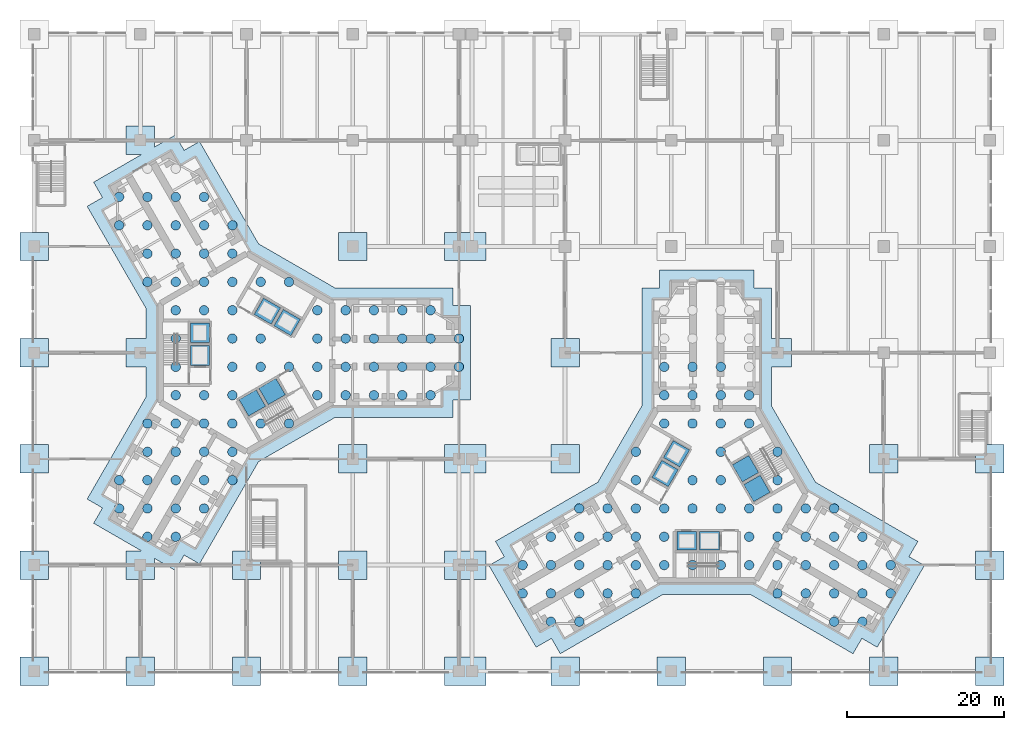
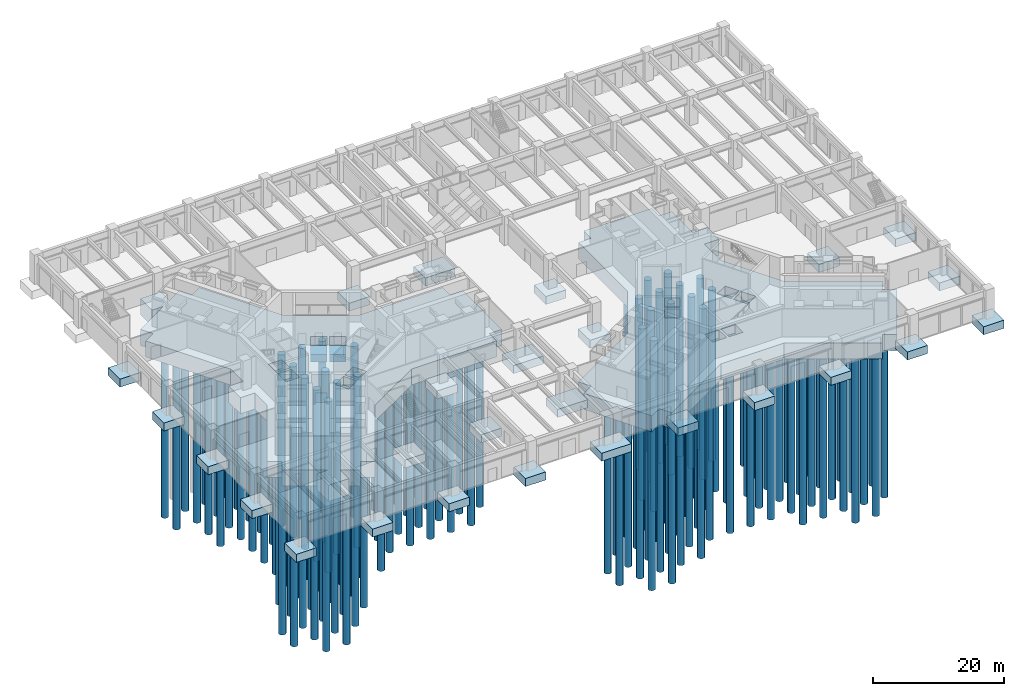
# One storey, part 1 of 18: 141 piles, 40 footings.
"""IFC4 building model written with IfcOpenShell, lengths in metres."""

from ifc_helpers import new_model, si_unit, direction, frame, origin, origin_2d, place, context, subcontext, project, spatial, polyline, rectangle, circle, outline, extrude, material, layer, layer_set, type_object, element, save


model = new_model("IFC4")

# Units and contexts
model_context = context("Model", 3, precision=1e-05, world=origin(), true_north=direction((0.0, 1.0)))
body_context = subcontext(model_context, "Body", "Model", "MODEL_VIEW")
ifc_project = project(units=[si_unit("LENGTHUNIT", "METRE"), si_unit("AREAUNIT", "SQUARE_METRE"), si_unit("VOLUMEUNIT", "CUBIC_METRE"), si_unit("PLANEANGLEUNIT", "RADIAN"), si_unit("MASSUNIT", "GRAM", prefix="KILO")], contexts=[model_context])

# Site, building, storey
site_placement = place(None, origin())
site = spatial("IfcSite", under=ifc_project, at=site_placement, CompositionType="ELEMENT")
building_placement = place(site_placement, origin())
building = spatial("IfcBuilding", under=site, at=building_placement, Name="Upepo Twin Towers", CompositionType="ELEMENT")
storey_placement = place(building_placement, origin())
storey = spatial("IfcBuildingStorey", under=building, at=storey_placement, Name="L00", CompositionType="ELEMENT", Elevation=0.0)

# Piles
ifc_material_1 = material(Name="Concrete C40/50", Category="concrete")
pile_type = type_object("IfcPileType", Name="Bored pile 1200 dia", PredefinedType="BORED", material=ifc_material_1)
for number, where, z_axis, x_axis, name in (
    (1, (-16.199951171875, -19.800048828125, -3.199951171875), (0.0, 0.0, -1.0), (1.0, 0.0, 0.0), "T1 bored pile 1"),
    (2, (-16.199951171875, -16.199951171875, -3.199951171875), (0.0, 0.0, -1.0), (1.0, 0.0, 0.0), "T1 bored pile 2"),
    (3, (-16.199951171875, 16.199951171875, -3.199951171875), (0.0, 0.0, -1.0), (1.0, 0.0, 0.0), "T1 bored pile 3"),
    (4, (-16.199951171875, 19.800048828125, -3.199951171875), (0.0, 0.0, -1.0), (1.0, 0.0, 0.0), "T1 bored pile 4"),
    (5, (-12.60009765625, -23.39990234375, -3.199951171875), (0.0, 0.0, -1.0), (1.0, 0.0, 0.0), "T1 bored pile 5"),
    (6, (-12.60009765625, -19.800048828125, -3.199951171875), (0.0, 0.0, -1.0), (1.0, 0.0, 0.0), "T1 bored pile 6"),
    (7, (-12.60009765625, -16.199951171875, -3.199951171875), (0.0, 0.0, -1.0), (1.0, 0.0, 0.0), "T1 bored pile 7"),
    (8, (-12.60009765625, -12.60009765625, -3.199951171875), (0.0, 0.0, -1.0), (1.0, 0.0, 0.0), "T1 bored pile 8"),
    (9, (-12.60009765625, -9.0, -3.199951171875), (0.0, 0.0, -1.0), (1.0, 0.0, 0.0), "T1 bored pile 9"),
    (10, (-12.60009765625, 9.0, -3.199951171875), (0.0, 0.0, -1.0), (1.0, 0.0, 0.0), "T1 bored pile 10"),
    (11, (-12.60009765625, 12.60009765625, -3.199951171875), (0.0, 0.0, -1.0), (1.0, 0.0, 0.0), "T1 bored pile 11"),
    (12, (-12.60009765625, 16.199951171875, -3.199951171875), (0.0, 0.0, -1.0), (1.0, 0.0, 0.0), "T1 bored pile 12"),
    (13, (-12.60009765625, 19.800048828125, -3.199951171875), (0.0, 0.0, -1.0), (1.0, 0.0, 0.0), "T1 bored pile 13"),
    (14, (-9.0, -23.39990234375, -3.199951171875), (0.0, 0.0, -1.0), (1.0, 0.0, 0.0), "T1 bored pile 15"),
    (15, (-9.0, -19.800048828125, -3.199951171875), (0.0, 0.0, -1.0), (1.0, 0.0, 0.0), "T1 bored pile 16"),
    (16, (-9.0, -16.199951171875, -3.199951171875), (0.0, 0.0, -1.0), (1.0, 0.0, 0.0), "T1 bored pile 17"),
    (17, (-9.0, -12.60009765625, -3.199951171875), (0.0, 0.0, -1.0), (1.0, 0.0, 0.0), "T1 bored pile 18"),
    (18, (-9.0, -9.0, -3.199951171875), (0.0, 0.0, -1.0), (1.0, 0.0, 0.0), "T1 bored pile 19"),
    (19, (-9.0, -5.39990234375, -3.199951171875), (0.0, 0.0, -1.0), (1.0, 0.0, 0.0), "T1 bored pile 20"),
    (20, (-9.0, -1.800048828125, -3.199951171875), (0.0, 0.0, -1.0), (1.0, 0.0, 0.0), "T1 bored pile 21"),
    (21, (-9.0, 1.800048828125, -3.199951171875), (0.0, 0.0, -1.0), (1.0, 0.0, 0.0), "T1 bored pile 22"),
    (22, (-9.0, 5.39990234375, -3.199951171875), (0.0, 0.0, -1.0), (1.0, 0.0, 0.0), "T1 bored pile 23"),
    (23, (-9.0, 9.0, -3.199951171875), (0.0, 0.0, -1.0), (1.0, 0.0, 0.0), "T1 bored pile 24"),
    (24, (-9.0, 12.60009765625, -3.199951171875), (0.0, 0.0, -1.0), (1.0, 0.0, 0.0), "T1 bored pile 25"),
    (25, (-9.0, 16.199951171875, -3.199951171875), (0.0, 0.0, -1.0), (1.0, 0.0, 0.0), "T1 bored pile 26"),
    (26, (-9.0, 19.800048828125, -3.199951171875), (0.0, 0.0, -1.0), (1.0, 0.0, 0.0), "T1 bored pile 27"),
    (27, (-5.39990234375, -19.800048828125, -3.199951171875), (0.0, 0.0, -1.0), (1.0, 0.0, 0.0), "T1 bored pile 29"),
    (28, (-5.39990234375, -16.199951171875, -3.199951171875), (0.0, 0.0, -1.0), (1.0, 0.0, 0.0), "T1 bored pile 30"),
    (29, (-5.39990234375, -12.60009765625, -3.199951171875), (0.0, 0.0, -1.0), (1.0, 0.0, 0.0), "T1 bored pile 31"),
    (30, (-5.39990234375, -9.0, -3.199951171875), (0.0, 0.0, -1.0), (1.0, 0.0, 0.0), "T1 bored pile 32"),
    (31, (-5.39990234375, -5.39990234375, -3.199951171875), (0.0, 0.0, -1.0), (1.0, 0.0, 0.0), "T1 bored pile 33"),
    (32, (-5.39990234375, 5.39990234375, -3.199951171875), (0.0, 0.0, -1.0), (1.0, 0.0, 0.0), "T1 bored pile 34"),
    (33, (-5.39990234375, 9.0, -3.199951171875), (0.0, 0.0, -1.0), (1.0, 0.0, 0.0), "T1 bored pile 35"),
    (34, (-5.39990234375, 12.60009765625, -3.199951171875), (0.0, 0.0, -1.0), (1.0, 0.0, 0.0), "T1 bored pile 36"),
    (35, (-5.39990234375, 16.199951171875, -3.199951171875), (0.0, 0.0, -1.0), (1.0, 0.0, 0.0), "T1 bored pile 37"),
    (36, (-5.39990234375, 19.800048828125, -3.199951171875), (0.0, 0.0, -1.0), (1.0, 0.0, 0.0), "T1 bored pile 38"),
    (37, (-1.800048828125, -16.199951171875, -3.199951171875), (0.0, 0.0, -1.0), (1.0, 0.0, 0.0), "T1 bored pile 39"),
    (38, (-1.800048828125, -12.60009765625, -3.199951171875), (0.0, 0.0, -1.0), (1.0, 0.0, 0.0), "T1 bored pile 40"),
    (39, (-1.800048828125, -9.0, -3.199951171875), (0.0, 0.0, -1.0), (1.0, 0.0, 0.0), "T1 bored pile 41"),
    (40, (-1.800048828125, -5.39990234375, -3.199951171875), (0.0, 0.0, -1.0), (1.0, 0.0, 0.0), "T1 bored pile 42"),
    (41, (-1.800048828125, -1.800048828125, -3.199951171875), (0.0, 0.0, -1.0), (1.0, 0.0, 0.0), "T1 bored pile 43"),
    (42, (-1.800048828125, 1.800048828125, -3.199951171875), (0.0, 0.0, -1.0), (1.0, 0.0, 0.0), "T1 bored pile 44"),
    (43, (-1.800048828125, 5.39990234375, -3.199951171875), (0.0, 0.0, -1.0), (1.0, 0.0, 0.0), "T1 bored pile 45"),
    (44, (-1.800048828125, 9.0, -3.199951171875), (0.0, 0.0, -1.0), (1.0, 0.0, 0.0), "T1 bored pile 46"),
    (45, (-1.800048828125, 12.60009765625, -3.199951171875), (0.0, 0.0, -1.0), (1.0, 0.0, 0.0), "T1 bored pile 47"),
    (46, (-1.800048828125, 16.199951171875, -3.199951171875), (0.0, 0.0, -1.0), (1.0, 0.0, 0.0), "T1 bored pile 48"),
    (47, (1.800048828125, -9.0, -3.199951171875), (0.0, 0.0, -1.0), (1.0, 0.0, 0.0), "T1 bored pile 49"),
    (48, (1.800048828125, -1.800048828125, -3.199951171875), (0.0, 0.0, -1.0), (1.0, 0.0, 0.0), "T1 bored pile 50"),
    (49, (1.800048828125, 1.800048828125, -3.199951171875), (0.0, 0.0, -1.0), (1.0, 0.0, 0.0), "T1 bored pile 51"),
    (50, (1.800048828125, 9.0, -3.199951171875), (0.0, 0.0, -1.0), (1.0, 0.0, 0.0), "T1 bored pile 52"),
    (51, (5.39990234375, -9.0, -3.199951171875), (0.0, 0.0, -1.0), (1.0, 0.0, 0.0), "T1 bored pile 53"),
    (52, (5.39990234375, -1.800048828125, -3.199951171875), (0.0, 0.0, -1.0), (1.0, 0.0, 0.0), "T1 bored pile 54"),
    (53, (5.39990234375, 9.0, -3.199951171875), (0.0, 0.0, -1.0), (1.0, 0.0, 0.0), "T1 bored pile 55"),
    (54, (9.0, -5.39990234375, -3.199951171875), (0.0, 0.0, -1.0), (1.0, 0.0, 0.0), "T1 bored pile 56"),
    (55, (9.0, -1.800048828125, -3.199951171875), (0.0, 0.0, -1.0), (1.0, 0.0, 0.0), "T1 bored pile 57"),
    (56, (9.0, 1.800048828125, -3.199951171875), (0.0, 0.0, -1.0), (1.0, 0.0, 0.0), "T1 bored pile 58"),
    (57, (9.0, 5.39990234375, -3.199951171875), (0.0, 0.0, -1.0), (1.0, 0.0, 0.0), "T1 bored pile 59"),
    (58, (12.60009765625, -5.39990234375, -3.199951171875), (0.0, 0.0, -1.0), (1.0, 0.0, 0.0), "T1 bored pile 60"),
    (59, (12.60009765625, -1.800048828125, -3.199951171875), (0.0, 0.0, -1.0), (1.0, 0.0, 0.0), "T1 bored pile 61"),
    (60, (12.60009765625, 1.800048828125, -3.199951171875), (0.0, 0.0, -1.0), (1.0, 0.0, 0.0), "T1 bored pile 62"),
    (61, (12.60009765625, 5.39990234375, -3.199951171875), (0.0, 0.0, -1.0), (1.0, 0.0, 0.0), "T1 bored pile 63"),
    (62, (16.199951171875, -5.39990234375, -3.199951171875), (0.0, 0.0, -1.0), (1.0, 0.0, 0.0), "T1 bored pile 64"),
    (63, (16.199951171875, -1.800048828125, -3.199951171875), (0.0, 0.0, -1.0), (1.0, 0.0, 0.0), "T1 bored pile 65"),
    (64, (16.199951171875, 1.800048828125, -3.199951171875), (0.0, 0.0, -1.0), (1.0, 0.0, 0.0), "T1 bored pile 66"),
    (65, (16.199951171875, 5.39990234375, -3.199951171875), (0.0, 0.0, -1.0), (1.0, 0.0, 0.0), "T1 bored pile 67"),
    (66, (19.800048828125, -5.39990234375, -3.199951171875), (0.0, 0.0, -1.0), (1.0, 0.0, 0.0), "T1 bored pile 68"),
    (67, (19.800048828125, -1.800048828125, -3.199951171875), (0.0, 0.0, -1.0), (1.0, 0.0, 0.0), "T1 bored pile 69"),
    (68, (19.800048828125, 1.800048828125, -3.199951171875), (0.0, 0.0, -1.0), (1.0, 0.0, 0.0), "T1 bored pile 70"),
    (69, (19.800048828125, 5.39990234375, -3.199951171875), (0.0, 0.0, -1.0), (1.0, 0.0, 0.0), "T1 bored pile 71"),
    (70, (23.39990234375, -5.39990234375, -3.199951171875), (0.0, 0.0, -1.0), (1.0, 0.0, 0.0), "T1 bored pile 72"),
    (71, (23.39990234375, -1.800048828125, -3.199951171875), (0.0, 0.0, -1.0), (1.0, 0.0, 0.0), "T1 bored pile 73"),
    (72, (23.39990234375, 1.800048828125, -3.199951171875), (0.0, 0.0, -1.0), (1.0, 0.0, 0.0), "T1 bored pile 74"),
    (73, (23.39990234375, 5.39990234375, -3.199951171875), (0.0, 0.0, -1.0), (1.0, 0.0, 0.0), "T1 bored pile 75"),
    (74, (27.0, -1.800048828125, -3.199951171875), (0.0, 0.0, -1.0), (1.0, 0.0, 0.0), "T1 bored pile 76"),
    (75, (27.0, 1.800048828125, -3.199951171875), (0.0, 0.0, -1.0), (1.0, 0.0, 0.0), "T1 bored pile 77"),
    (76, (35.10009765625, -30.60009765625, -3.199951171875), (0.0, 0.0, -1.0), (1.0, 0.0, 0.0), "T2 bored pile 1"),
    (77, (35.10009765625, -27.0, -3.199951171875), (0.0, 0.0, -1.0), (1.0, 0.0, 0.0), "T2 bored pile 2"),
    (78, (38.699951171875, -34.199951171875, -3.199951171875), (0.0, 0.0, -1.0), (1.0, 0.0, 0.0), "T2 bored pile 3"),
    (79, (38.699951171875, -30.60009765625, -3.199951171875), (0.0, 0.0, -1.0), (1.0, 0.0, 0.0), "T2 bored pile 4"),
    (80, (38.699951171875, -27.0, -3.199951171875), (0.0, 0.0, -1.0), (1.0, 0.0, 0.0), "T2 bored pile 5"),
    (81, (38.699951171875, -23.39990234375, -3.199951171875), (0.0, 0.0, -1.0), (1.0, 0.0, 0.0), "T2 bored pile 6"),
    (82, (42.300048828125, -34.199951171875, -3.199951171875), (0.0, 0.0, -1.0), (1.0, 0.0, 0.0), "T2 bored pile 7"),
    (83, (42.300048828125, -30.60009765625, -3.199951171875), (0.0, 0.0, -1.0), (1.0, 0.0, 0.0), "T2 bored pile 8"),
    (84, (42.300048828125, -27.0, -3.199951171875), (0.0, 0.0, -1.0), (1.0, 0.0, 0.0), "T2 bored pile 9"),
    (85, (42.300048828125, -23.39990234375, -3.199951171875), (0.0, 0.0, -1.0), (1.0, 0.0, 0.0), "T2 bored pile 10"),
    (86, (42.300048828125, -19.800048828125, -3.199951171875), (0.0, 0.0, -1.0), (1.0, 0.0, 0.0), "T2 bored pile 11"),
    (87, (45.89990234375, -30.60009765625, -3.199951171875), (0.0, 0.0, -1.0), (1.0, 0.0, 0.0), "T2 bored pile 12"),
    (88, (45.89990234375, -27.0, -3.199951171875), (0.0, 0.0, -1.0), (1.0, 0.0, 0.0), "T2 bored pile 13"),
    (89, (45.89990234375, -23.39990234375, -3.199951171875), (0.0, 0.0, -1.0), (1.0, 0.0, 0.0), "T2 bored pile 14"),
    (90, (45.89990234375, -19.800048828125, -3.199951171875), (0.0, 0.0, -1.0), (1.0, 0.0, 0.0), "T2 bored pile 15"),
    (91, (49.5, -30.60009765625, -3.199951171875), (0.0, 0.0, -1.0), (1.0, 0.0, 0.0), "T2 bored pile 16"),
    (92, (49.5, -27.0, -3.199951171875), (0.0, 0.0, -1.0), (1.0, 0.0, 0.0), "T2 bored pile 17"),
    (93, (49.5, -23.39990234375, -3.199951171875), (0.0, 0.0, -1.0), (1.0, 0.0, 0.0), "T2 bored pile 18"),
    (94, (49.5, -19.800048828125, -3.199951171875), (0.0, 0.0, -1.0), (1.0, 0.0, 0.0), "T2 bored pile 19"),
    (95, (49.5, -16.199951171875, -3.199951171875), (0.0, 0.0, -1.0), (1.0, 0.0, 0.0), "T2 bored pile 20"),
    (96, (49.5, -12.60009765625, -3.199951171875), (0.0, 0.0, -1.0), (1.0, 0.0, 0.0), "T2 bored pile 21"),
    (97, (53.10009765625, -27.0, -3.199951171875), (0.0, 0.0, -1.0), (1.0, 0.0, 0.0), "T2 bored pile 22"),
    (98, (53.10009765625, -23.39990234375, -3.199951171875), (0.0, 0.0, -1.0), (1.0, 0.0, 0.0), "T2 bored pile 23"),
    (99, (53.10009765625, -19.800048828125, -3.199951171875), (0.0, 0.0, -1.0), (1.0, 0.0, 0.0), "T2 bored pile 24"),
    (100, (53.10009765625, -9.0, -3.199951171875), (0.0, 0.0, -1.0), (1.0, 0.0, 0.0), "T2 bored pile 25"),
    (101, (53.10009765625, -5.39990234375, -3.199951171875), (0.0, 0.0, -1.0), (1.0, 0.0, 0.0), "T2 bored pile 26"),
    (102, (53.10009765625, -1.800048828125, -3.199951171875), (0.0, 0.0, -1.0), (1.0, 0.0, 0.0), "T2 bored pile 27"),
    (103, (56.699951171875, -27.0, -3.199951171875), (0.0, 0.0, -1.0), (1.0, 0.0, 0.0), "T2 bored pile 30"),
    (104, (56.699951171875, -19.800048828125, -3.199951171875), (0.0, 0.0, -1.0), (1.0, 0.0, 0.0), "T2 bored pile 31"),
    (105, (56.699951171875, -16.199951171875, -3.199951171875), (0.0, 0.0, -1.0), (1.0, 0.0, 0.0), "T2 bored pile 32"),
    (106, (56.699951171875, -9.0, -3.199951171875), (0.0, 0.0, -1.0), (1.0, 0.0, 0.0), "T2 bored pile 33"),
    (107, (56.699951171875, -5.39990234375, -3.199951171875), (0.0, 0.0, -1.0), (1.0, 0.0, 0.0), "T2 bored pile 34"),
    (108, (56.699951171875, -1.800048828125, -3.199951171875), (0.0, 0.0, -1.0), (1.0, 0.0, 0.0), "T2 bored pile 35"),
    (109, (60.300048828125, -27.0, -3.199951171875), (0.0, 0.0, -1.0), (1.0, 0.0, 0.0), "T2 bored pile 39"),
    (110, (60.300048828125, -19.800048828125, -3.199951171875), (0.0, 0.0, -1.0), (1.0, 0.0, 0.0), "T2 bored pile 40"),
    (111, (60.300048828125, -16.199951171875, -3.199951171875), (0.0, 0.0, -1.0), (1.0, 0.0, 0.0), "T2 bored pile 41"),
    (112, (60.300048828125, -12.60009765625, -3.199951171875), (0.0, 0.0, -1.0), (1.0, 0.0, 0.0), "T2 bored pile 42"),
    (113, (60.300048828125, -9.0, -3.199951171875), (0.0, 0.0, -1.0), (1.0, 0.0, 0.0), "T2 bored pile 43"),
    (114, (60.300048828125, -5.39990234375, -3.199951171875), (0.0, 0.0, -1.0), (1.0, 0.0, 0.0), "T2 bored pile 44"),
    (115, (60.300048828125, -1.800048828125, -3.199951171875), (0.0, 0.0, -1.0), (1.0, 0.0, 0.0), "T2 bored pile 45"),
    (116, (63.89990234375, -27.0, -3.199951171875), (0.0, 0.0, -1.0), (1.0, 0.0, 0.0), "T2 bored pile 49"),
    (117, (63.89990234375, -23.39990234375, -3.199951171875), (0.0, 0.0, -1.0), (1.0, 0.0, 0.0), "T2 bored pile 50"),
    (118, (63.89990234375, -19.800048828125, -3.199951171875), (0.0, 0.0, -1.0), (1.0, 0.0, 0.0), "T2 bored pile 51"),
    (119, (63.89990234375, -9.0, -3.199951171875), (0.0, 0.0, -1.0), (1.0, 0.0, 0.0), "T2 bored pile 52"),
    (120, (63.89990234375, -5.39990234375, -3.199951171875), (0.0, 0.0, -1.0), (1.0, 0.0, 0.0), "T2 bored pile 53"),
    (121, (67.5, -30.60009765625, -3.199951171875), (0.0, 0.0, -1.0), (1.0, 0.0, 0.0), "T2 bored pile 57"),
    (122, (67.5, -27.0, -3.199951171875), (0.0, 0.0, -1.0), (1.0, 0.0, 0.0), "T2 bored pile 58"),
    (123, (67.5, -23.39990234375, -3.199951171875), (0.0, 0.0, -1.0), (1.0, 0.0, 0.0), "T2 bored pile 59"),
    (124, (67.5, -19.800048828125, -3.199951171875), (0.0, 0.0, -1.0), (1.0, 0.0, 0.0), "T2 bored pile 60"),
    (125, (67.5, -16.199951171875, -3.199951171875), (0.0, 0.0, -1.0), (1.0, 0.0, 0.0), "T2 bored pile 61"),
    (126, (67.5, -12.60009765625, -3.199951171875), (0.0, 0.0, -1.0), (1.0, 0.0, 0.0), "T2 bored pile 62"),
    (127, (71.10009765625, -30.60009765625, -3.199951171875), (0.0, 0.0, -1.0), (1.0, 0.0, 0.0), "T2 bored pile 63"),
    (128, (71.10009765625, -27.0, -3.199951171875), (0.0, 0.0, -1.0), (1.0, 0.0, 0.0), "T2 bored pile 64"),
    (129, (71.10009765625, -23.39990234375, -3.199951171875), (0.0, 0.0, -1.0), (1.0, 0.0, 0.0), "T2 bored pile 65"),
    (130, (71.10009765625, -19.800048828125, -3.199951171875), (0.0, 0.0, -1.0), (1.0, 0.0, 0.0), "T2 bored pile 66"),
    (131, (74.699951171875, -34.199951171875, -3.199951171875), (0.0, 0.0, -1.0), (1.0, 0.0, 0.0), "T2 bored pile 67"),
    (132, (74.699951171875, -30.60009765625, -3.199951171875), (0.0, 0.0, -1.0), (1.0, 0.0, 0.0), "T2 bored pile 68"),
    (133, (74.699951171875, -27.0, -3.199951171875), (0.0, 0.0, -1.0), (1.0, 0.0, 0.0), "T2 bored pile 69"),
    (134, (74.699951171875, -23.39990234375, -3.199951171875), (0.0, 0.0, -1.0), (1.0, 0.0, 0.0), "T2 bored pile 70"),
    (135, (74.699951171875, -19.800048828125, -3.199951171875), (0.0, 0.0, -1.0), (1.0, 0.0, 0.0), "T2 bored pile 71"),
    (136, (78.300048828125, -34.199951171875, -3.199951171875), (0.0, 0.0, -1.0), (1.0, 0.0, 0.0), "T2 bored pile 72"),
    (137, (78.300048828125, -30.60009765625, -3.199951171875), (0.0, 0.0, -1.0), (1.0, 0.0, 0.0), "T2 bored pile 73"),
    (138, (78.300048828125, -27.0, -3.199951171875), (0.0, 0.0, -1.0), (1.0, 0.0, 0.0), "T2 bored pile 74"),
    (139, (78.300048828125, -23.39990234375, -3.199951171875), (0.0, 0.0, -1.0), (1.0, 0.0, 0.0), "T2 bored pile 75"),
    (140, (81.89990234375, -30.60009765625, -3.199951171875), (0.0, 0.0, -1.0), (1.0, 0.0, 0.0), "T2 bored pile 76"),
    (141, (81.89990234375, -27.0, -3.199951171875), (0.0, 0.0, -1.0), (1.0, 0.0, 0.0), "T2 bored pile 77"),
):
    element("IfcPile", number, at=place(storey_placement, frame(where, z_axis=z_axis, x_axis=x_axis)), inside=storey, type_object=pile_type, Name=name, PredefinedType="BORED", context=body_context, shape_type="SweptSolid", body=[
        extrude(circle(Radius=0.60009765625, at=origin_2d()), origin(), (0.0, 0.0, 1.0), 32.0),
    ])

# Footings
ifc_material_2 = material(Name="Concrete C40/50", Category="concrete")
footing_type_1 = type_object("IfcFootingType", Name="Combined pad footing 4650x3600x1500 at the podium joint", PredefinedType="PAD_FOOTING", material=ifc_material_2)
for number, where, z_axis, x_axis, name in (
    (142, (27.824951171875, -40.5, -1.800048828125), (0.0, 0.0, 1.0), (1.0, 0.0, 0.0), "Combined pad footing A/5-5a"),
    (143, (27.824951171875, -27.0, -1.800048828125), (0.0, 0.0, 1.0), (1.0, 0.0, 0.0), "Combined pad footing B/5-5a"),
    (144, (27.824951171875, -13.5, -1.800048828125), (0.0, 0.0, 1.0), (1.0, 0.0, 0.0), "Combined pad footing C/5-5a"),
    (145, (27.824951171875, 13.5, -1.800048828125), (0.0, 0.0, 1.0), (1.0, 0.0, 0.0), "Combined pad footing E/5-5a"),
):
    element("IfcFooting", number, at=place(storey_placement, frame(where, z_axis=z_axis, x_axis=x_axis)), inside=storey, type_object=footing_type_1, Name=name, PredefinedType="PAD_FOOTING", context=body_context, shape_type="SweptSolid", body=[
        extrude(rectangle(XDim=5.25, YDim=3.60009765625, at=origin_2d()), origin(), (0.0, 0.0, 1.0), 1.5),
    ])
ifc_material_3 = material(Name="Concrete C40/50", Category="concrete")
footing_type_2 = type_object("IfcFootingType", Name="Podium pad footing 3600x3600x1500", PredefinedType="PAD_FOOTING", material=ifc_material_3)
for number, where, z_axis, x_axis, name in (
    (146, (-27.0, -40.5, -1.800048828125), (0.0, 0.0, 1.0), (1.0, 0.0, 0.0), "Pad footing A/1"),
    (147, (-13.5, -40.5, -1.800048828125), (0.0, 0.0, 1.0), (1.0, 0.0, 0.0), "Pad footing A/2"),
    (148, (0.0, -40.5, -1.800048828125), (0.0, 0.0, 1.0), (1.0, 0.0, 0.0), "Pad footing A/3"),
    (149, (13.5, -40.5, -1.800048828125), (0.0, 0.0, 1.0), (1.0, 0.0, 0.0), "Pad footing A/4"),
    (150, (40.5, -40.5, -1.800048828125), (0.0, 0.0, 1.0), (1.0, 0.0, 0.0), "Pad footing A/6"),
    (151, (54.0, -40.5, -1.800048828125), (0.0, 0.0, 1.0), (1.0, 0.0, 0.0), "Pad footing A/7"),
    (152, (67.5, -40.5, -1.800048828125), (0.0, 0.0, 1.0), (1.0, 0.0, 0.0), "Pad footing A/8"),
    (153, (81.0, -40.5, -1.800048828125), (0.0, 0.0, 1.0), (1.0, 0.0, 0.0), "Pad footing A/9"),
    (154, (94.5, -40.5, -1.800048828125), (0.0, 0.0, 1.0), (1.0, 0.0, 0.0), "Pad footing A/10"),
    (155, (-27.0, -27.0, -1.800048828125), (0.0, 0.0, 1.0), (1.0, 0.0, 0.0), "Pad footing B/1"),
    (156, (0.0, -27.0, -1.800048828125), (0.0, 0.0, 1.0), (1.0, 0.0, 0.0), "Pad footing B/3"),
    (157, (13.5, -27.0, -1.800048828125), (0.0, 0.0, 1.0), (1.0, 0.0, 0.0), "Pad footing B/4"),
    (158, (94.5, -27.0, -1.800048828125), (0.0, 0.0, 1.0), (1.0, 0.0, 0.0), "Pad footing B/10"),
    (159, (-27.0, -13.5, -1.800048828125), (0.0, 0.0, 1.0), (1.0, 0.0, 0.0), "Pad footing C/1"),
    (160, (13.5, -13.5, -1.800048828125), (0.0, 0.0, 1.0), (1.0, 0.0, 0.0), "Pad footing C/4"),
    (161, (40.5, -13.5, -1.800048828125), (0.0, 0.0, 1.0), (1.0, 0.0, 0.0), "Pad footing C/6"),
    (162, (81.0, -13.5, -1.800048828125), (0.0, 0.0, 1.0), (1.0, 0.0, 0.0), "Pad footing C/9"),
    (163, (94.5, -13.5, -1.800048828125), (0.0, 0.0, 1.0), (1.0, 0.0, 0.0), "Pad footing C/10"),
    (164, (-27.0, 0.0, -1.800048828125), (0.0, 0.0, 1.0), (1.0, 0.0, 0.0), "Pad footing D/1"),
    (165, (40.5, 0.0, -1.800048828125), (0.0, 0.0, 1.0), (1.0, 0.0, 0.0), "Pad footing D/6"),
    (166, (-27.0, 13.5, -1.800048828125), (0.0, 0.0, 1.0), (1.0, 0.0, 0.0), "Pad footing E/1"),
    (167, (13.5, 13.5, -1.800048828125), (0.0, 0.0, 1.0), (1.0, 0.0, 0.0), "Pad footing E/4"),
):
    element("IfcFooting", number, at=place(storey_placement, frame(where, z_axis=z_axis, x_axis=x_axis)), inside=storey, type_object=footing_type_2, Name=name, PredefinedType="PAD_FOOTING", context=body_context, shape_type="SweptSolid", body=[
        extrude(rectangle(XDim=3.60009765625, YDim=3.60009765625, at=origin_2d()), origin(), (0.0, 0.0, 1.0), 1.5),
    ])
ifc_material_4 = material(Name="Concrete C50/60", Category="concrete")
ifc_layer_1 = layer(ifc_material_4, 1.39990234375)
ifc_layer_set_1 = layer_set([ifc_layer_1], Name="Concrete C50/60")
footing_type_3 = type_object("IfcFootingType", Name="Tower piled raft 1400 under a lift pit", PredefinedType="PILE_CAP", material=ifc_layer_set_1)
footing_1_placement = place(storey_placement, frame((0.0, 0.0, -3.300048828125)))
element("IfcFooting", 168, at=footing_1_placement, inside=storey, type_object=footing_type_3, Name="T1 piled raft at lift pit 1", PredefinedType="PILE_CAP", context=body_context, shape_type="SweptSolid", body=[
    extrude(outline(polyline([(5.640869140625, 2.17041015625), (6.8408203125, 4.248779296875), (4.67578125, 5.498779296875), (3.475830078125, 3.42041015625), (5.640869140625, 2.17041015625)])), origin(), (0.0, 0.0, 1.0), 1.400146484375),
])
footing_2_placement = place(storey_placement, frame((0.0, 0.0, -3.300048828125)))
element("IfcFooting", 169, at=footing_2_placement, inside=storey, type_object=footing_type_3, Name="T1 piled raft at lift pit 2", PredefinedType="PILE_CAP", context=body_context, shape_type="SweptSolid", body=[
    extrude(outline(polyline([(3.12939453125, 3.620361328125), (4.329345703125, 5.69873046875), (2.164306640625, 6.94873046875), (0.96435546875, 4.870361328125), (3.12939453125, 3.620361328125)])), origin(), (0.0, 0.0, 1.0), 1.400146484375),
])
footing_3_placement = place(storey_placement, frame((0.0, 0.0, -3.300048828125)))
element("IfcFooting", 170, at=footing_3_placement, inside=storey, type_object=footing_type_3, Name="T1 piled raft at lift pit 3", PredefinedType="PILE_CAP", context=body_context, shape_type="SweptSolid", body=[
    extrude(outline(polyline([(-4.699951171875, 3.800048828125), (-7.10009765625, 3.800048828125), (-7.10009765625, 1.300048828125), (-4.699951171875, 1.300048828125), (-4.699951171875, 3.800048828125)])), origin(), (0.0, 0.0, 1.0), 1.400146484375),
])
footing_4_placement = place(storey_placement, frame((0.0, 0.0, -3.300048828125)))
element("IfcFooting", 171, at=footing_4_placement, inside=storey, type_object=footing_type_3, Name="T1 piled raft at lift pit 4", PredefinedType="PILE_CAP", context=body_context, shape_type="SweptSolid", body=[
    extrude(outline(polyline([(-4.699951171875, 0.89990234375), (-7.10009765625, 0.89990234375), (-7.10009765625, -1.60009765625), (-4.699951171875, -1.60009765625), (-4.699951171875, 0.89990234375)])), origin(), (0.0, 0.0, 1.0), 1.400146484375),
])
footing_5_placement = place(storey_placement, frame((0.0, 0.0, -3.300048828125)))
element("IfcFooting", 172, at=footing_5_placement, inside=storey, type_object=footing_type_3, Name="T1 piled raft at lift pit 5", PredefinedType="PILE_CAP", context=body_context, shape_type="SweptSolid", body=[
    extrude(outline(polyline([(-0.94091796875, -5.97021484375), (0.259033203125, -8.048828125), (2.424072265625, -6.798828125), (1.22412109375, -4.72021484375), (-0.94091796875, -5.97021484375)])), origin(), (0.0, 0.0, 1.0), 1.400146484375),
])
footing_6_placement = place(storey_placement, frame((0.0, 0.0, -3.300048828125)))
element("IfcFooting", 173, at=footing_6_placement, inside=storey, type_object=footing_type_3, Name="T1 piled raft at lift pit 6", PredefinedType="PILE_CAP", context=body_context, shape_type="SweptSolid", body=[
    extrude(outline(polyline([(1.570556640625, -4.520263671875), (2.7705078125, -6.598876953125), (4.935546875, -5.348876953125), (3.735595703125, -3.270263671875), (1.570556640625, -4.520263671875)])), origin(), (0.0, 0.0, 1.0), 1.400146484375),
])
footing_7_placement = place(storey_placement, frame((0.0, 0.0, -3.300048828125)))
element("IfcFooting", 174, at=footing_7_placement, inside=storey, type_object=footing_type_3, Name="T2 piled raft at lift pit 1", PredefinedType="PILE_CAP", context=body_context, shape_type="SweptSolid", body=[
    extrude(outline(polyline([(56.32958984375, -12.359130859375), (54.251220703125, -11.1591796875), (53.001220703125, -13.32421875), (55.07958984375, -14.524169921875), (56.32958984375, -12.359130859375)])), origin(), (0.0, 0.0, 1.0), 1.400146484375),
])
footing_8_placement = place(storey_placement, frame((0.0, 0.0, -3.300048828125)))
element("IfcFooting", 175, at=footing_8_placement, inside=storey, type_object=footing_type_3, Name="T2 piled raft at lift pit 2", PredefinedType="PILE_CAP", context=body_context, shape_type="SweptSolid", body=[
    extrude(outline(polyline([(54.879638671875, -14.87060546875), (52.80126953125, -13.670654296875), (51.55126953125, -15.835693359375), (53.629638671875, -17.03564453125), (54.879638671875, -14.87060546875)])), origin(), (0.0, 0.0, 1.0), 1.400146484375),
])
footing_9_placement = place(storey_placement, frame((0.0, 0.0, -3.300048828125)))
element("IfcFooting", 176, at=footing_9_placement, inside=storey, type_object=footing_type_3, Name="T2 piled raft at lift pit 3", PredefinedType="PILE_CAP", context=body_context, shape_type="SweptSolid", body=[
    extrude(outline(polyline([(54.699951171875, -22.699951171875), (54.699951171875, -25.10009765625), (57.199951171875, -25.10009765625), (57.199951171875, -22.699951171875), (54.699951171875, -22.699951171875)])), origin(), (0.0, 0.0, 1.0), 1.400146484375),
])
footing_10_placement = place(storey_placement, frame((0.0, 0.0, -3.300048828125)))
element("IfcFooting", 177, at=footing_10_placement, inside=storey, type_object=footing_type_3, Name="T2 piled raft at lift pit 4", PredefinedType="PILE_CAP", context=body_context, shape_type="SweptSolid", body=[
    extrude(outline(polyline([(57.60009765625, -22.699951171875), (57.60009765625, -25.10009765625), (60.10009765625, -25.10009765625), (60.10009765625, -22.699951171875), (57.60009765625, -22.699951171875)])), origin(), (0.0, 0.0, 1.0), 1.400146484375),
])
footing_11_placement = place(storey_placement, frame((0.0, 0.0, -3.300048828125)))
element("IfcFooting", 178, at=footing_11_placement, inside=storey, type_object=footing_type_3, Name="T2 piled raft at lift pit 5", PredefinedType="PILE_CAP", context=body_context, shape_type="SweptSolid", body=[
    extrude(outline(polyline([(64.47021484375, -18.94091796875), (66.548828125, -17.740966796875), (65.298828125, -15.575927734375), (63.22021484375, -16.77587890625), (64.47021484375, -18.94091796875)])), origin(), (0.0, 0.0, 1.0), 1.400146484375),
])
footing_12_placement = place(storey_placement, frame((0.0, 0.0, -3.300048828125)))
element("IfcFooting", 179, at=footing_12_placement, inside=storey, type_object=footing_type_3, Name="T2 piled raft at lift pit 6", PredefinedType="PILE_CAP", context=body_context, shape_type="SweptSolid", body=[
    extrude(outline(polyline([(63.020263671875, -16.429443359375), (65.098876953125, -15.2294921875), (63.848876953125, -13.064453125), (61.770263671875, -14.264404296875), (63.020263671875, -16.429443359375)])), origin(), (0.0, 0.0, 1.0), 1.400146484375),
])
ifc_material_5 = material(Name="Concrete C50/60", Category="concrete")
ifc_layer_2 = layer(ifc_material_5, 3.0)
ifc_layer_set_2 = layer_set([ifc_layer_2], Name="Concrete C50/60")
footing_type_4 = type_object("IfcFootingType", Name="Tower piled raft 3000", PredefinedType="PILE_CAP", material=ifc_layer_set_2)
footing_13_placement = place(storey_placement, frame((0.0, 0.0, -3.300048828125)))
element("IfcFooting", 180, at=footing_13_placement, inside=storey, type_object=footing_type_4, Name="T1 piled raft", PredefinedType="PILE_CAP", context=body_context, shape_type="SweptSolid", body=[
    extrude(outline(polyline([(-15.300048828125, -25.199951171875), (-13.352294921875, -25.199951171875), (-19.446044921875, -21.681640625), (-18.321044921875, -19.733154296875), (-20.269775390625, -18.608154296875), (-12.75830078125, -5.59814453125), (-12.75830078125, -1.800048828125), (-15.300048828125, -1.800048828125), (-15.300048828125, 1.800048828125), (-12.75830078125, 1.800048828125), (-12.75830078125, 5.59814453125), (-20.269775390625, 18.608154296875), (-18.321044921875, 19.733154296875), (-19.446044921875, 21.681640625), (-13.352294921875, 25.199951171875), (-15.300048828125, 25.199951171875), (-15.300048828125, 28.800048828125), (-11.699951171875, 28.800048828125), (-11.699951171875, 26.154052734375), (-9.053955078125, 27.681640625), (-7.928955078125, 25.733154296875), (-5.980224609375, 26.858154296875), (1.531005859375, 13.84814453125), (11.227294921875, 8.25), (26.25, 8.25), (26.25, 6.0), (28.5, 6.0), (28.5, -6.0), (26.25, -6.0), (26.25, -8.25), (11.227294921875, -8.25), (1.531005859375, -13.84814453125), (-5.980224609375, -26.858154296875), (-7.928955078125, -25.733154296875), (-9.053955078125, -27.681640625), (-11.699951171875, -26.154052734375), (-11.699951171875, -28.800048828125), (-15.300048828125, -28.800048828125), (-15.300048828125, -25.199951171875)]), holes=[polyline([(5.640869140625, 2.17041015625), (6.8408203125, 4.248779296875), (4.67578125, 5.498779296875), (3.475830078125, 3.42041015625), (5.640869140625, 2.17041015625)]), polyline([(3.12939453125, 3.620361328125), (4.329345703125, 5.69873046875), (2.164306640625, 6.94873046875), (0.96435546875, 4.870361328125), (3.12939453125, 3.620361328125)]), polyline([(-4.699951171875, 3.800048828125), (-7.10009765625, 3.800048828125), (-7.10009765625, 1.300048828125), (-4.699951171875, 1.300048828125), (-4.699951171875, 3.800048828125)]), polyline([(-4.699951171875, 0.89990234375), (-7.10009765625, 0.89990234375), (-7.10009765625, -1.60009765625), (-4.699951171875, -1.60009765625), (-4.699951171875, 0.89990234375)]), polyline([(-0.94091796875, -5.97021484375), (0.259033203125, -8.048828125), (2.424072265625, -6.798828125), (1.22412109375, -4.72021484375), (-0.94091796875, -5.97021484375)]), polyline([(1.570556640625, -4.520263671875), (2.7705078125, -6.598876953125), (4.935546875, -5.348876953125), (3.735595703125, -3.270263671875), (1.570556640625, -4.520263671875)])]), origin(), (0.0, 0.0, 1.0), 3.0),
])
footing_14_placement = place(storey_placement, frame((0.0, 0.0, -3.300048828125)))
element("IfcFooting", 181, at=footing_14_placement, inside=storey, type_object=footing_type_4, Name="T2 piled raft", PredefinedType="PILE_CAP", context=body_context, shape_type="SweptSolid", body=[
    extrude(outline(polyline([(86.181640625, -27.053955078125), (80.181640625, -37.446044921875), (78.233154296875, -36.321044921875), (77.108154296875, -38.269775390625), (64.09814453125, -30.75830078125), (52.90185546875, -30.75830078125), (39.891845703125, -38.269775390625), (38.766845703125, -36.321044921875), (36.818359375, -37.446044921875), (30.818359375, -27.053955078125), (32.766845703125, -25.928955078125), (31.641845703125, -23.980224609375), (44.65185546875, -16.468994140625), (50.25, -6.772705078125), (50.25, 8.25), (52.5, 8.25), (52.5, 10.5), (64.5, 10.5), (64.5, 8.25), (66.75, 8.25), (66.75, 1.800048828125), (69.300048828125, 1.800048828125), (69.300048828125, -1.800048828125), (66.75, -1.800048828125), (66.75, -6.772705078125), (72.34814453125, -16.468994140625), (85.358154296875, -23.980224609375), (84.233154296875, -25.928955078125), (86.181640625, -27.053955078125)]), holes=[polyline([(56.32958984375, -12.359130859375), (54.251220703125, -11.1591796875), (53.001220703125, -13.32421875), (55.07958984375, -14.524169921875), (56.32958984375, -12.359130859375)]), polyline([(54.879638671875, -14.87060546875), (52.80126953125, -13.670654296875), (51.55126953125, -15.835693359375), (53.629638671875, -17.03564453125), (54.879638671875, -14.87060546875)]), polyline([(54.699951171875, -22.699951171875), (54.699951171875, -25.10009765625), (57.199951171875, -25.10009765625), (57.199951171875, -22.699951171875), (54.699951171875, -22.699951171875)]), polyline([(57.60009765625, -22.699951171875), (57.60009765625, -25.10009765625), (60.10009765625, -25.10009765625), (60.10009765625, -22.699951171875), (57.60009765625, -22.699951171875)]), polyline([(64.47021484375, -18.94091796875), (66.548828125, -17.740966796875), (65.298828125, -15.575927734375), (63.22021484375, -16.77587890625), (64.47021484375, -18.94091796875)]), polyline([(63.020263671875, -16.429443359375), (65.098876953125, -15.2294921875), (63.848876953125, -13.064453125), (61.770263671875, -14.264404296875), (63.020263671875, -16.429443359375)])]), origin(), (0.0, 0.0, 1.0), 3.0),
])

save(model, "model.ifc")
